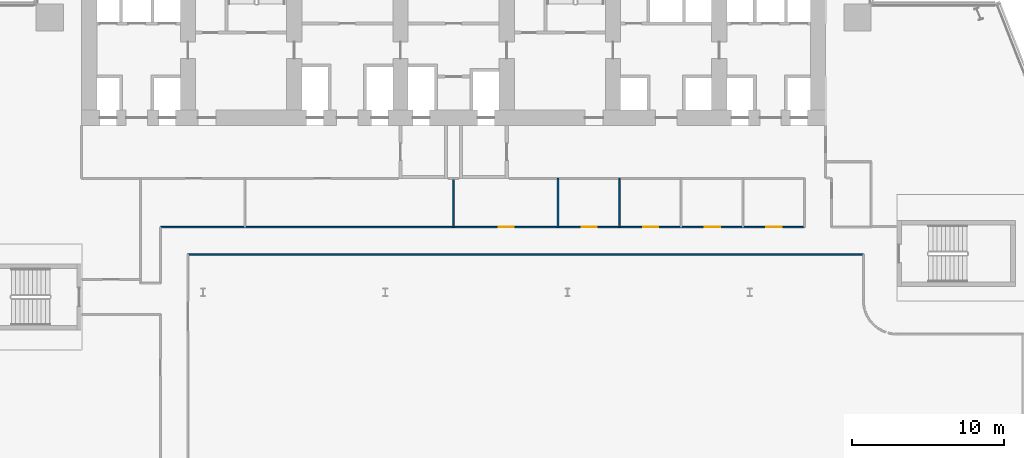
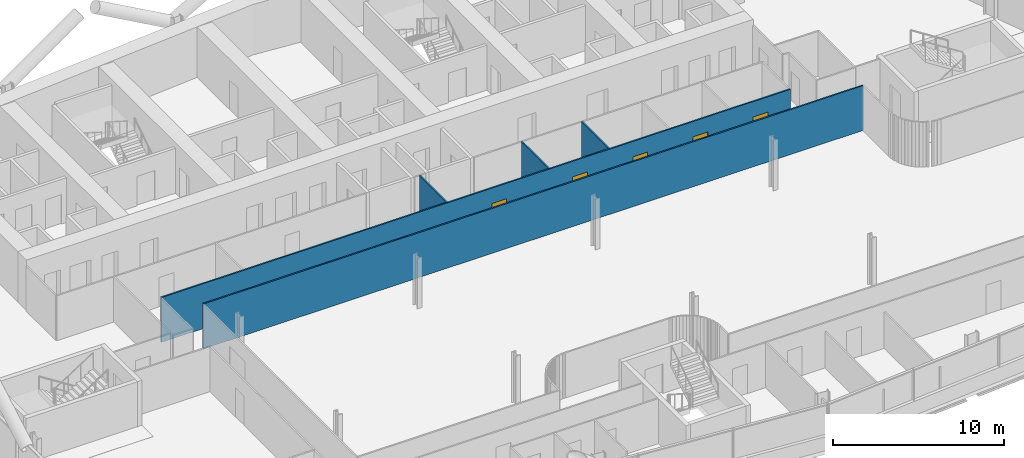
# One storey, part 18 of 30: 5 doors, 5 walls, 5 openings.
"""IFC4 building model written with IfcOpenShell, lengths in metres."""

from ifc_helpers import new_model, si_unit, direction, frame, frame_2d, origin, place, context, subcontext, project, spatial, rectangle, extrude, material, layer, layer_set, type_object, element, fill, save


model = new_model("IFC4")

# Units and contexts
model_context = context("Model", 3, precision=1e-05, world=origin(), true_north=direction((0.0, 1.0)))
body_context = subcontext(model_context, "Body", "Model", "MODEL_VIEW")
ifc_project = project(units=[si_unit("LENGTHUNIT", "METRE"), si_unit("AREAUNIT", "SQUARE_METRE"), si_unit("VOLUMEUNIT", "CUBIC_METRE"), si_unit("PLANEANGLEUNIT", "RADIAN"), si_unit("MASSUNIT", "GRAM", prefix="KILO")], contexts=[model_context])

# Site, building, storey
site_placement = place(None, origin())
site = spatial("IfcSite", under=ifc_project, at=site_placement, CompositionType="ELEMENT")
building_placement = place(site_placement, origin())
building = spatial("IfcBuilding", under=site, at=building_placement, Name="Wharfspan Tower", CompositionType="ELEMENT")
storey_placement = place(building_placement, frame((0.0, 0.0, 100.300049)))
storey = spatial("IfcBuildingStorey", under=building, at=storey_placement, Name="L22", CompositionType="ELEMENT", Elevation=100.300049)

# Wall, openings, doors
ifc_material_1 = material(Name="Gypsum board on steel studs", Category="steel")
ifc_layer = layer(ifc_material_1, 0.100098)
ifc_layer_set = layer_set([ifc_layer], Name="Gypsum board on steel studs")
wall_type = type_object("IfcWallType", Name="Compartment wall 100 EI 60", PredefinedType="PARTITIONING", material=ifc_layer_set)
wall_1_placement = place(storey_placement, frame((21.199951, 27.300049, 0.0), z_axis=(0.0, 0.0, 1.0), x_axis=(1.0, 0.0, 0.0)))
wall_1 = element("IfcWall", 1, at=wall_1_placement, inside=storey, type_object=wall_type, Name="Partition L22.w013", PredefinedType="PARTITIONING", context=body_context, shape_type="SweptSolid", body=[
    extrude(rectangle(XDim=42.400146, YDim=0.100098, at=frame_2d((21.200195, 0.0))), origin(), (0.0, 0.0, 1.0), 3.199951),
])
opening_1_placement = place(wall_1_placement, frame((22.274902, 0.0, 0.0)))
opening_1 = element("IfcOpeningElement", 2, at=opening_1_placement, cuts=wall_1, Name="Opening B2-14", PredefinedType="OPENING", context=body_context, shape_type="SweptSolid", body=[
    extrude(rectangle(XDim=1.0, YDim=2.100098, at=frame_2d((0.5, 1.050049))), frame((0.0, 0.060059, 0.0), z_axis=(0.0, -1.0, 0.0), x_axis=(1.0, 0.0, 0.0)), (0.0, 0.0, 1.0), 0.120117),
])
opening_2_placement = place(wall_1_placement, frame((27.72998, 0.0, 0.0)))
opening_2 = element("IfcOpeningElement", 3, at=opening_2_placement, cuts=wall_1, Name="Opening B2-15", PredefinedType="OPENING", context=body_context, shape_type="SweptSolid", body=[
    extrude(rectangle(XDim=1.0, YDim=2.100098, at=frame_2d((0.5, 1.050049))), frame((0.0, 0.060059, 0.0), z_axis=(0.0, -1.0, 0.0), x_axis=(1.0, 0.0, 0.0)), (0.0, 0.0, 1.0), 0.120117),
])
opening_3_placement = place(wall_1_placement, frame((31.784912, 0.0, 0.0)))
opening_3 = element("IfcOpeningElement", 4, at=opening_3_placement, cuts=wall_1, Name="Opening B2-16", PredefinedType="OPENING", context=body_context, shape_type="SweptSolid", body=[
    extrude(rectangle(XDim=1.0, YDim=2.100098, at=frame_2d((0.5, 1.050049))), frame((0.0, 0.060059, 0.0), z_axis=(0.0, -1.0, 0.0), x_axis=(1.0, 0.0, 0.0)), (0.0, 0.0, 1.0), 0.120117),
])
opening_4_placement = place(wall_1_placement, frame((35.844971, 0.0, 0.0)))
opening_4 = element("IfcOpeningElement", 5, at=opening_4_placement, cuts=wall_1, Name="Opening B2-17", PredefinedType="OPENING", context=body_context, shape_type="SweptSolid", body=[
    extrude(rectangle(XDim=1.0, YDim=2.100098, at=frame_2d((0.5, 1.050049))), frame((0.0, 0.060059, 0.0), z_axis=(0.0, -1.0, 0.0), x_axis=(1.0, 0.0, 0.0)), (0.0, 0.0, 1.0), 0.120117),
])
opening_5_placement = place(wall_1_placement, frame((39.899902, 0.0, 0.0)))
opening_5 = element("IfcOpeningElement", 6, at=opening_5_placement, cuts=wall_1, Name="Opening B2-18", PredefinedType="OPENING", context=body_context, shape_type="SweptSolid", body=[
    extrude(rectangle(XDim=1.0, YDim=2.100098, at=frame_2d((0.5, 1.050049))), frame((0.0, 0.060059, 0.0), z_axis=(0.0, -1.0, 0.0), x_axis=(1.0, 0.0, 0.0)), (0.0, 0.0, 1.0), 0.120117),
])
ifc_material_2 = material(Name="Fire-rated timber door leaf in steel frame", Category="steel")
door_type = type_object("IfcDoorType", Name="Door 1000 FD30S Right", OperationType="SINGLE_SWING_RIGHT", PredefinedType="DOOR", material=ifc_material_2)
door_1_placement = place(opening_1_placement, origin())
door_1 = element("IfcDoor", 7, at=door_1_placement, inside=storey, type_object=door_type, Name="Door B2-14", OperationType="SINGLE_SWING_RIGHT", OverallHeight=2.100098, OverallWidth=1.0, PredefinedType="DOOR", context=body_context, shape_type="SweptSolid", body=[
    extrude(rectangle(XDim=1.0, YDim=2.100098, at=frame_2d((0.5, 1.050049))), frame((0.0, 0.024902, 0.0), z_axis=(0.0, -1.0, 0.0), x_axis=(1.0, 0.0, 0.0)), (0.0, 0.0, 1.0), 0.050049),
])
fill(opening_1, door_1)
door_2_placement = place(opening_2_placement, origin())
door_2 = element("IfcDoor", 8, at=door_2_placement, inside=storey, type_object=door_type, Name="Door B2-15", OperationType="SINGLE_SWING_RIGHT", OverallHeight=2.100098, OverallWidth=1.0, PredefinedType="DOOR", context=body_context, shape_type="SweptSolid", body=[
    extrude(rectangle(XDim=1.0, YDim=2.100098, at=frame_2d((0.5, 1.050049))), frame((0.0, 0.024902, 0.0), z_axis=(0.0, -1.0, 0.0), x_axis=(1.0, 0.0, 0.0)), (0.0, 0.0, 1.0), 0.050049),
])
fill(opening_2, door_2)
door_3_placement = place(opening_3_placement, origin())
door_3 = element("IfcDoor", 9, at=door_3_placement, inside=storey, type_object=door_type, Name="Door B2-16", OperationType="SINGLE_SWING_RIGHT", OverallHeight=2.100098, OverallWidth=1.0, PredefinedType="DOOR", context=body_context, shape_type="SweptSolid", body=[
    extrude(rectangle(XDim=1.0, YDim=2.100098, at=frame_2d((0.5, 1.050049))), frame((0.0, 0.024902, 0.0), z_axis=(0.0, -1.0, 0.0), x_axis=(1.0, 0.0, 0.0)), (0.0, 0.0, 1.0), 0.050049),
])
fill(opening_3, door_3)
door_4_placement = place(opening_4_placement, origin())
door_4 = element("IfcDoor", 10, at=door_4_placement, inside=storey, type_object=door_type, Name="Door B2-17", OperationType="SINGLE_SWING_RIGHT", OverallHeight=2.100098, OverallWidth=1.0, PredefinedType="DOOR", context=body_context, shape_type="SweptSolid", body=[
    extrude(rectangle(XDim=1.0, YDim=2.100098, at=frame_2d((0.5, 1.050049))), frame((0.0, 0.024902, 0.0), z_axis=(0.0, -1.0, 0.0), x_axis=(1.0, 0.0, 0.0)), (0.0, 0.0, 1.0), 0.050049),
])
fill(opening_4, door_4)
door_5_placement = place(opening_5_placement, origin())
door_5 = element("IfcDoor", 11, at=door_5_placement, inside=storey, type_object=door_type, Name="Door B2-18", OperationType="SINGLE_SWING_RIGHT", OverallHeight=2.100098, OverallWidth=1.0, PredefinedType="DOOR", context=body_context, shape_type="SweptSolid", body=[
    extrude(rectangle(XDim=1.0, YDim=2.100098, at=frame_2d((0.5, 1.050049))), frame((0.0, 0.024902, 0.0), z_axis=(0.0, -1.0, 0.0), x_axis=(1.0, 0.0, 0.0)), (0.0, 0.0, 1.0), 0.050049),
])
fill(opening_5, door_5)

# Walls
wall_2_placement = place(storey_placement, frame((23.0, 25.5, 0.0), z_axis=(0.0, 0.0, 1.0), x_axis=(1.0, 0.0, 0.0)))
element("IfcWall", 12, at=wall_2_placement, inside=storey, type_object=wall_type, Name="Partition L22.w016", PredefinedType="PARTITIONING", context=body_context, shape_type="SweptSolid", body=[
    extrude(rectangle(XDim=44.48999, YDim=0.100098, at=frame_2d((22.245117, 0.0))), origin(), (0.0, 0.0, 1.0), 3.199951),
])
for number, where, z_axis, x_axis, name in (
    (13, (40.5, 27.300049, 0.0), (0.0, 0.0, 1.0), (0.0, 1.0, 0.0), "Partition L22.w047"),
    (14, (47.375, 27.300049, 0.0), (0.0, 0.0, 1.0), (0.0, 1.0, 0.0), "Partition L22.w058"),
    (15, (51.429932, 27.300049, 0.0), (0.0, 0.0, 1.0), (0.0, 1.0, 0.0), "Partition L22.w070"),
):
    element("IfcWall", number, at=place(storey_placement, frame(where, z_axis=z_axis, x_axis=x_axis)), inside=storey, type_object=wall_type, Name=name, PredefinedType="PARTITIONING", context=body_context, shape_type="SweptSolid", body=[
        extrude(rectangle(XDim=3.199951, YDim=0.100098, at=frame_2d((1.600098, 0.0))), origin(), (0.0, 0.0, 1.0), 3.199951),
    ])

save(model, "model.ifc")
